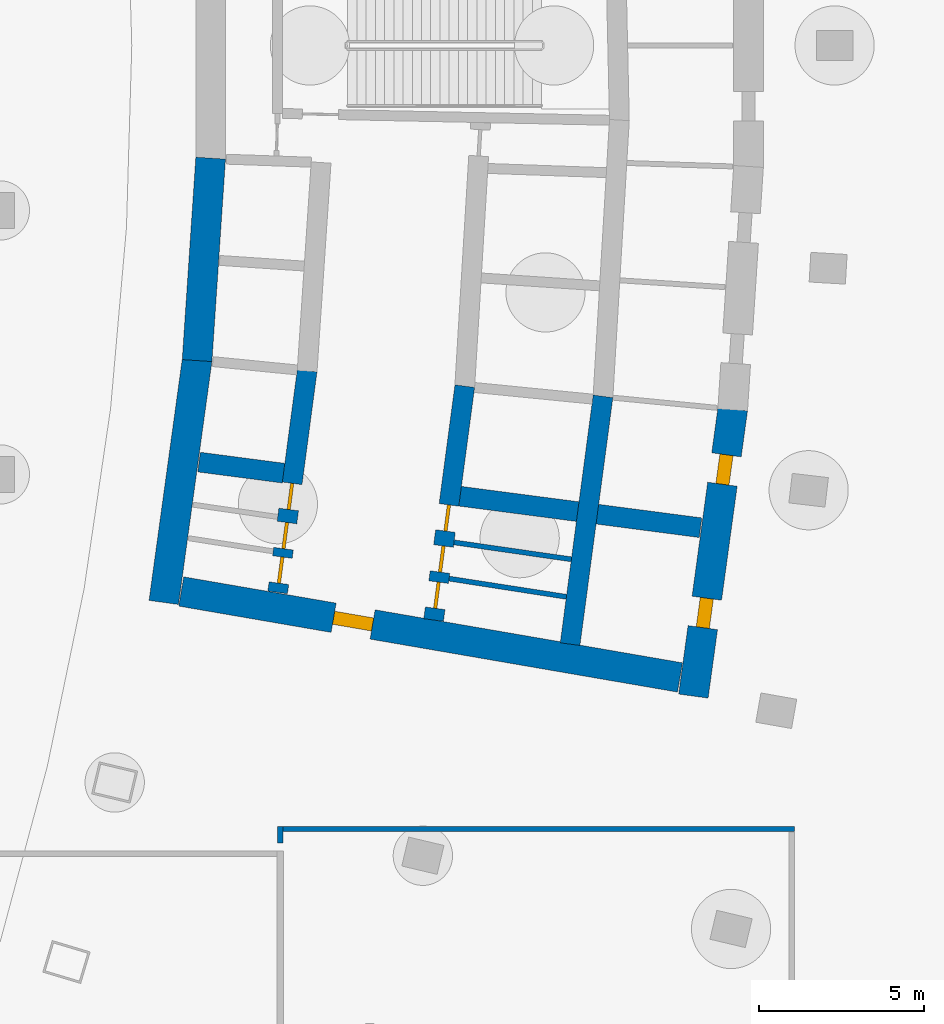
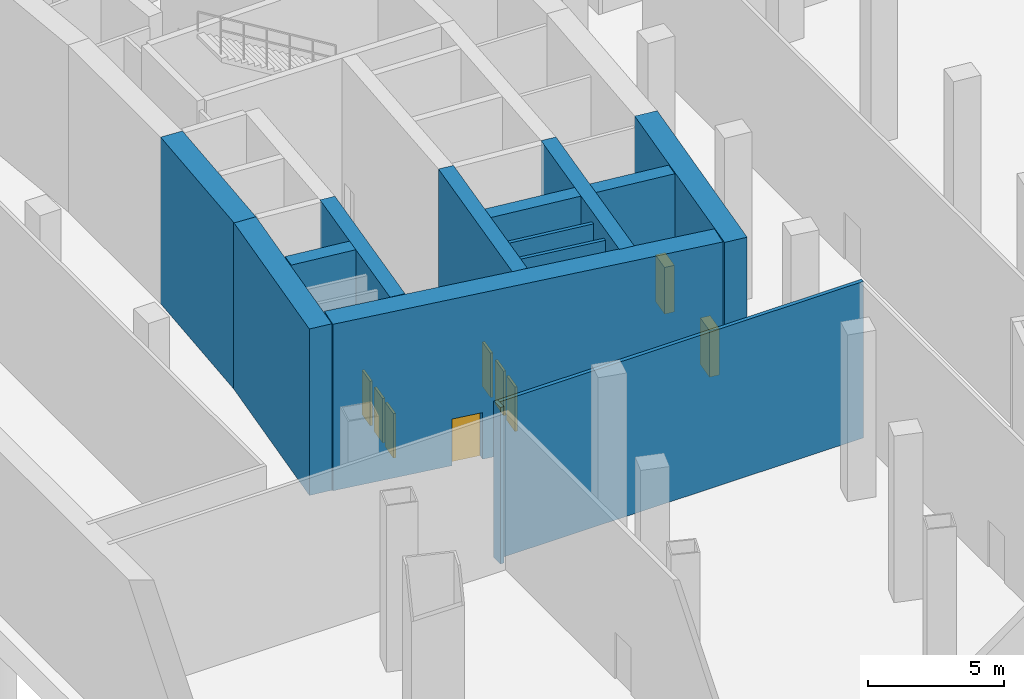
# One storey, part 4 of 19: 14 walls, 9 doors, 9 openings.
"""IFC4 building model written with IfcOpenShell, lengths in metres."""

from ifc_helpers import new_model, si_unit, direction, frame, frame_2d, origin, place, context, subcontext, project, spatial, rectangle, extrude, material, layer, layer_set, type_object, element, fill, save


model = new_model("IFC4")

# Units and contexts
model_context = context("Model", 3, precision=1e-05, world=origin(), true_north=direction((0.0, 1.0)))
body_context = subcontext(model_context, "Body", "Model", "MODEL_VIEW")
ifc_project = project(units=[si_unit("LENGTHUNIT", "METRE"), si_unit("AREAUNIT", "SQUARE_METRE"), si_unit("VOLUMEUNIT", "CUBIC_METRE"), si_unit("PLANEANGLEUNIT", "RADIAN"), si_unit("MASSUNIT", "GRAM", prefix="KILO")], contexts=[model_context])

# Site, building, storey
site_placement = place(None, origin())
site = spatial("IfcSite", under=ifc_project, at=site_placement, CompositionType="ELEMENT")
building_placement = place(site_placement, origin())
building = spatial("IfcBuilding", under=site, at=building_placement, Name="Alderwake Tower", CompositionType="ELEMENT")
storey_placement = place(building_placement, frame((0.0, 0.0, -14.0)))
storey = spatial("IfcBuildingStorey", under=building, at=storey_placement, Name="B2", CompositionType="ELEMENT", Elevation=-14.0)

# Walls
ifc_material_1 = material(Name="Gypsum shaft wall system, rated")
ifc_layer_1 = layer(ifc_material_1, 0.14990234375)
ifc_layer_set_1 = layer_set([ifc_layer_1], Name="Core room partition 150")
wall_type_1 = type_object("IfcWallType", Name="Core room partition 150", PredefinedType="PARTITIONING", material=ifc_layer_set_1)
wall_1_placement = place(storey_placement, frame((24.117431640625, 44.842041015625, 0.0), z_axis=(0.0, 0.0, 1.0), x_axis=(0.988173903359, -0.153337329832, 0.0)))
element("IfcWall", 1, at=wall_1_placement, inside=storey, type_object=wall_type_1, Name="CW/B2/PR-161_+86", PredefinedType="PARTITIONING", context=body_context, shape_type="SweptSolid", body=[
    extrude(rectangle(XDim=3.5966796875, YDim=0.14990234375, at=frame_2d((1.79833984375, 0.0))), origin(), (0.0, 0.0, 1.0), 7.050048828125),
])
wall_2_placement = place(storey_placement, frame((24.263916015625, 45.940673828125, 0.0), z_axis=(0.0, 0.0, 1.0), x_axis=(0.989732412963, -0.142932679013, 0.0)))
element("IfcWall", 2, at=wall_2_placement, inside=storey, type_object=wall_type_1, Name="CW/B2/PR-150_+86", PredefinedType="PARTITIONING", context=body_context, shape_type="SweptSolid", body=[
    extrude(rectangle(XDim=3.595458984375, YDim=0.14990234375, at=frame_2d((1.7978515625, 0.0))), origin(), (0.0, 0.0, 1.0), 7.050048828125),
])
ifc_material_2 = material(Name="Concrete C70/85", Category="concrete")
ifc_layer_2 = layer(ifc_material_2, 0.89990234375)
ifc_layer_set_2 = layer_set([ifc_layer_2], Name="Core wall outer 900 C70-85")
wall_type_2 = type_object("IfcWallType", Name="Core wall outer 900 C70-85", PredefinedType="SHEAR", material=ifc_layer_set_2)
wall_3_placement = place(storey_placement, frame((15.46923828125, 44.1201171875, 0.0), z_axis=(0.0, 0.0, 1.0), x_axis=(0.136337234661, 0.990662484626, 0.0)))
element("IfcWall", 3, at=wall_3_placement, inside=storey, type_object=wall_type_2, Name="Core wall CW.042", PredefinedType="SHEAR", context=body_context, shape_type="SweptSolid", body=[
    extrude(rectangle(XDim=7.431396484375, YDim=0.89990234375, at=frame_2d((3.7158203125, 0.0))), origin(), (0.0, 0.0, 1.0), 7.5),
])
wall_4_placement = place(storey_placement, frame((16.47900390625, 51.449951171875, 0.0), z_axis=(0.0, 0.0, 1.0), x_axis=(0.06689316208, 0.997760143956, 0.0)))
element("IfcWall", 4, at=wall_4_placement, inside=storey, type_object=wall_type_2, Name="Core wall CW.041", PredefinedType="SHEAR", context=body_context, shape_type="SweptSolid", body=[
    extrude(rectangle(XDim=6.149658203125, YDim=0.89990234375, at=frame_2d((3.07470703125, 0.0))), origin(), (0.0, 0.0, 1.0), 7.5),
])

# Wall, openings, doors
wall_5_placement = place(storey_placement, frame((32.7138671875, 49.9873046875, 0.0), z_axis=(0.0, 0.0, 1.0), x_axis=(-0.135844728876, -0.990730139663, 0.0)))
wall_5 = element("IfcWall", 5, at=wall_5_placement, inside=storey, type_object=wall_type_2, Name="Core wall CW.012", PredefinedType="SHEAR", context=body_context, shape_type="SweptSolid", body=[
    extrude(rectangle(XDim=8.78662109375, YDim=0.89990234375, at=frame_2d((4.393310546875, 0.0))), origin(), (0.0, 0.0, 1.0), 7.5),
])
opening_1_placement = place(wall_5_placement, frame((1.40673828125, 0.0, 0.0)))
opening_1 = element("IfcOpeningElement", 6, at=opening_1_placement, cuts=wall_5, Name="Opening C050", PredefinedType="OPENING", context=body_context, shape_type="SweptSolid", body=[
    extrude(rectangle(XDim=0.89990234375, YDim=2.10009765625, at=frame_2d((0.449951171875, 1.050048828125))), frame((0.0, 0.4599609375, 0.0), z_axis=(0.0, -1.0, 0.0), x_axis=(1.0, 0.0, 0.0)), (0.0, 0.0, 1.0), 0.919921875),
])
opening_2_placement = place(wall_5_placement, frame((5.79248046875, 0.0, 0.0)))
opening_2 = element("IfcOpeningElement", 7, at=opening_2_placement, cuts=wall_5, Name="Opening C061", PredefinedType="OPENING", context=body_context, shape_type="SweptSolid", body=[
    extrude(rectangle(XDim=0.89990234375, YDim=2.10009765625, at=frame_2d((0.449951171875, 1.050048828125))), frame((0.0, 0.4599609375, 0.0), z_axis=(0.0, -1.0, 0.0), x_axis=(1.0, 0.0, 0.0)), (0.0, 0.0, 1.0), 0.919921875),
])
ifc_material_3 = material(Name="Painted steel leaf", Category="steel")
door_type_1 = type_object("IfcDoorType", Name="Core room door 900", OperationType="SINGLE_SWING_LEFT", PredefinedType="DOOR", material=ifc_material_3)
door_1_placement = place(opening_1_placement, origin())
door_1 = element("IfcDoor", 8, at=door_1_placement, inside=storey, type_object=door_type_1, Name="Room door", OperationType="SINGLE_SWING_RIGHT", OverallHeight=2.10009765625, OverallWidth=0.89990234375, PredefinedType="DOOR", context=body_context, shape_type="SweptSolid", body=[
    extrude(rectangle(XDim=0.89990234375, YDim=2.10009765625, at=frame_2d((0.449951171875, 1.050048828125))), frame((0.0, 0.199951171875, 0.0), z_axis=(0.0, -1.0, 0.0), x_axis=(1.0, 0.0, 0.0)), (0.0, 0.0, 1.0), 0.39990234375),
])
fill(opening_1, door_1)
door_2_placement = place(opening_2_placement, origin())
door_2 = element("IfcDoor", 9, at=door_2_placement, inside=storey, type_object=door_type_1, Name="Room door", OperationType="SINGLE_SWING_LEFT", OverallHeight=2.10009765625, OverallWidth=0.89990234375, PredefinedType="DOOR", context=body_context, shape_type="SweptSolid", body=[
    extrude(rectangle(XDim=0.89990234375, YDim=2.10009765625, at=frame_2d((0.449951171875, 1.050048828125))), frame((0.0, 0.199951171875, 0.0), z_axis=(0.0, -1.0, 0.0), x_axis=(1.0, 0.0, 0.0)), (0.0, 0.0, 1.0), 0.39990234375),
])
fill(opening_2, door_2)

# Wall, opening, door
wall_6_placement = place(storey_placement, frame((31.11328125, 41.846923828125, 0.0), z_axis=(0.0, 0.0, 1.0), x_axis=(-0.985466640605, 0.169869067972, 0.0)))
wall_6 = element("IfcWall", 10, at=wall_6_placement, inside=storey, type_object=wall_type_2, Name="Core wall CW.070", PredefinedType="SHEAR", context=body_context, shape_type="SweptSolid", body=[
    extrude(rectangle(XDim=15.336669921875, YDim=0.89990234375, at=frame_2d((7.66845703125, 0.0))), origin(), (0.0, 0.0, 1.0), 7.5),
])
opening_3_placement = place(wall_6_placement, frame((9.451904296875, 0.0, 0.0)))
opening_3 = element("IfcOpeningElement", 11, at=opening_3_placement, cuts=wall_6, Name="Opening C003", PredefinedType="OPENING", context=body_context, shape_type="SweptSolid", body=[
    extrude(rectangle(XDim=1.199951171875, YDim=2.10009765625, at=frame_2d((0.60009765625, 1.050048828125))), frame((0.0, 0.4599609375, 0.0), z_axis=(0.0, -1.0, 0.0), x_axis=(1.0, 0.0, 0.0)), (0.0, 0.0, 1.0), 0.919921875),
])
ifc_material_4 = material(Name="Steel-framed fire door leaf", Category="steel")
door_type_2 = type_object("IfcDoorType", Name="Core lobby exit door 1200 fire-rated", OperationType="SINGLE_SWING_LEFT", PredefinedType="DOOR", material=ifc_material_4)
door_3_placement = place(opening_3_placement, origin())
door_3 = element("IfcDoor", 12, at=door_3_placement, inside=storey, type_object=door_type_2, Name="Lobby door", OperationType="SINGLE_SWING_LEFT", OverallHeight=2.10009765625, OverallWidth=1.199951171875, PredefinedType="DOOR", context=body_context, shape_type="SweptSolid", body=[
    extrude(rectangle(XDim=1.199951171875, YDim=2.10009765625, at=frame_2d((0.60009765625, 1.050048828125))), frame((0.0, 0.199951171875, 0.0), z_axis=(0.0, -1.0, 0.0), x_axis=(1.0, 0.0, 0.0)), (0.0, 0.0, 1.0), 0.39990234375),
])
fill(opening_3, door_3)

# Wall, openings, doors
ifc_material_5 = material(Name="Concrete C70/85", Category="concrete")
ifc_layer_3 = layer(ifc_material_5, 0.60009765625)
ifc_layer_set_3 = layer_set([ifc_layer_3], Name="Core wall spine 600 C70-85")
wall_type_3 = type_object("IfcWallType", Name="Core wall spine 600 C70-85", PredefinedType="SHEAR", material=ifc_layer_set_3)
wall_7_placement = place(storey_placement, frame((19.815185546875, 51.14697265625, 0.0), z_axis=(0.0, 0.0, 1.0), x_axis=(-0.131854836214, -0.991269036219, 0.0)))
wall_7 = element("IfcWall", 13, at=wall_7_placement, inside=storey, type_object=wall_type_3, Name="Core wall CW.033", PredefinedType="SHEAR", context=body_context, shape_type="SweptSolid", body=[
    extrude(rectangle(XDim=6.782470703125, YDim=0.60009765625, at=frame_2d((3.39111328125, 0.0))), origin(), (0.0, 0.0, 1.0), 7.5),
])
opening_4_placement = place(wall_7_placement, frame((5.699951171875, 0.0, 0.0)))
opening_4 = element("IfcOpeningElement", 14, at=opening_4_placement, cuts=wall_7, Name="Opening C009", PredefinedType="OPENING", context=body_context, shape_type="SweptSolid", body=[
    extrude(rectangle(XDim=0.800048828125, YDim=2.0, at=frame_2d((0.39990234375, 1.0))), frame((0.0, 0.31005859375, 0.0), z_axis=(0.0, -1.0, 0.0), x_axis=(1.0, 0.0, 0.0)), (0.0, 0.0, 1.0), 0.6201171875),
])
opening_5_placement = place(wall_7_placement, frame((4.64501953125, 0.0, 0.0)))
opening_5 = element("IfcOpeningElement", 15, at=opening_5_placement, cuts=wall_7, Name="Opening C011", PredefinedType="OPENING", context=body_context, shape_type="SweptSolid", body=[
    extrude(rectangle(XDim=0.800048828125, YDim=2.0, at=frame_2d((0.39990234375, 1.0))), frame((0.0, 0.31005859375, 0.0), z_axis=(0.0, -1.0, 0.0), x_axis=(1.0, 0.0, 0.0)), (0.0, 0.0, 1.0), 0.6201171875),
])
opening_6_placement = place(wall_7_placement, frame((3.4462890625, 0.0, 0.0)))
opening_6 = element("IfcOpeningElement", 16, at=opening_6_placement, cuts=wall_7, Name="Opening C012", PredefinedType="OPENING", context=body_context, shape_type="SweptSolid", body=[
    extrude(rectangle(XDim=0.800048828125, YDim=2.0, at=frame_2d((0.39990234375, 1.0))), frame((0.0, 0.31005859375, 0.0), z_axis=(0.0, -1.0, 0.0), x_axis=(1.0, 0.0, 0.0)), (0.0, 0.0, 1.0), 0.6201171875),
])
ifc_material_6 = material(Name="Painted steel leaf, rated", Category="steel")
door_type_3 = type_object("IfcDoorType", Name="Riser access door 800", OperationType="SINGLE_SWING_LEFT", PredefinedType="DOOR", material=ifc_material_6)
door_4_placement = place(opening_4_placement, origin())
door_4 = element("IfcDoor", 17, at=door_4_placement, inside=storey, type_object=door_type_3, Name="Riser access door", OperationType="SINGLE_SWING_LEFT", OverallHeight=2.0, OverallWidth=0.800048828125, PredefinedType="DOOR", context=body_context, shape_type="SweptSolid", body=[
    extrude(rectangle(XDim=0.800048828125, YDim=2.0, at=frame_2d((0.39990234375, 1.0))), frame((0.0, 0.050048828125, 0.0), z_axis=(0.0, -1.0, 0.0), x_axis=(1.0, 0.0, 0.0)), (0.0, 0.0, 1.0), 0.10009765625),
])
fill(opening_4, door_4)
door_5_placement = place(opening_5_placement, origin())
door_5 = element("IfcDoor", 18, at=door_5_placement, inside=storey, type_object=door_type_3, Name="Riser access door", OperationType="SINGLE_SWING_RIGHT", OverallHeight=2.0, OverallWidth=0.800048828125, PredefinedType="DOOR", context=body_context, shape_type="SweptSolid", body=[
    extrude(rectangle(XDim=0.800048828125, YDim=2.0, at=frame_2d((0.39990234375, 1.0))), frame((0.0, 0.050048828125, 0.0), z_axis=(0.0, -1.0, 0.0), x_axis=(1.0, 0.0, 0.0)), (0.0, 0.0, 1.0), 0.10009765625),
])
fill(opening_5, door_5)
door_6_placement = place(opening_6_placement, origin())
door_6 = element("IfcDoor", 19, at=door_6_placement, inside=storey, type_object=door_type_3, Name="Riser access door", OperationType="SINGLE_SWING_LEFT", OverallHeight=2.0, OverallWidth=0.800048828125, PredefinedType="DOOR", context=body_context, shape_type="SweptSolid", body=[
    extrude(rectangle(XDim=0.800048828125, YDim=2.0, at=frame_2d((0.39990234375, 1.0))), frame((0.0, 0.050048828125, 0.0), z_axis=(0.0, -1.0, 0.0), x_axis=(1.0, 0.0, 0.0)), (0.0, 0.0, 1.0), 0.10009765625),
])
fill(opening_6, door_6)

wall_8_placement = place(storey_placement, frame((23.647705078125, 43.588134765625, 0.0), z_axis=(0.0, 0.0, 1.0), x_axis=(0.132069785658, 0.991240420744, 0.0)))
wall_8 = element("IfcWall", 20, at=wall_8_placement, inside=storey, type_object=wall_type_3, Name="Core wall CW.047", PredefinedType="SHEAR", context=body_context, shape_type="SweptSolid", body=[
    extrude(rectangle(XDim=7.150390625, YDim=0.60009765625, at=frame_2d((3.5751953125, 0.0))), origin(), (0.0, 0.0, 1.0), 7.5),
])
opening_7_placement = place(wall_8_placement, frame((0.35791015625, 0.0, 0.0)))
opening_7 = element("IfcOpeningElement", 21, at=opening_7_placement, cuts=wall_8, Name="Opening C016", PredefinedType="OPENING", context=body_context, shape_type="SweptSolid", body=[
    extrude(rectangle(XDim=0.800048828125, YDim=2.0, at=frame_2d((0.39990234375, 1.0))), frame((0.0, 0.31005859375, 0.0), z_axis=(0.0, -1.0, 0.0), x_axis=(1.0, 0.0, 0.0)), (0.0, 0.0, 1.0), 0.6201171875),
])
opening_8_placement = place(wall_8_placement, frame((1.46337890625, 0.0, 0.0)))
opening_8 = element("IfcOpeningElement", 22, at=opening_8_placement, cuts=wall_8, Name="Opening C018", PredefinedType="OPENING", context=body_context, shape_type="SweptSolid", body=[
    extrude(rectangle(XDim=0.800048828125, YDim=2.0, at=frame_2d((0.39990234375, 1.0))), frame((0.0, 0.31005859375, 0.0), z_axis=(0.0, -1.0, 0.0), x_axis=(1.0, 0.0, 0.0)), (0.0, 0.0, 1.0), 0.6201171875),
])
opening_9_placement = place(wall_8_placement, frame((2.719482421875, 0.0, 0.0)))
opening_9 = element("IfcOpeningElement", 23, at=opening_9_placement, cuts=wall_8, Name="Opening C019", PredefinedType="OPENING", context=body_context, shape_type="SweptSolid", body=[
    extrude(rectangle(XDim=0.800048828125, YDim=2.0, at=frame_2d((0.39990234375, 1.0))), frame((0.0, 0.31005859375, 0.0), z_axis=(0.0, -1.0, 0.0), x_axis=(1.0, 0.0, 0.0)), (0.0, 0.0, 1.0), 0.6201171875),
])
door_7_placement = place(opening_7_placement, origin())
door_7 = element("IfcDoor", 24, at=door_7_placement, inside=storey, type_object=door_type_3, Name="Riser access door", OperationType="SINGLE_SWING_RIGHT", OverallHeight=2.0, OverallWidth=0.800048828125, PredefinedType="DOOR", context=body_context, shape_type="SweptSolid", body=[
    extrude(rectangle(XDim=0.800048828125, YDim=2.0, at=frame_2d((0.39990234375, 1.0))), frame((0.0, 0.050048828125, 0.0), z_axis=(0.0, -1.0, 0.0), x_axis=(1.0, 0.0, 0.0)), (0.0, 0.0, 1.0), 0.10009765625),
])
fill(opening_7, door_7)
door_8_placement = place(opening_8_placement, origin())
door_8 = element("IfcDoor", 25, at=door_8_placement, inside=storey, type_object=door_type_3, Name="Riser access door", OperationType="SINGLE_SWING_LEFT", OverallHeight=2.0, OverallWidth=0.800048828125, PredefinedType="DOOR", context=body_context, shape_type="SweptSolid", body=[
    extrude(rectangle(XDim=0.800048828125, YDim=2.0, at=frame_2d((0.39990234375, 1.0))), frame((0.0, 0.050048828125, 0.0), z_axis=(0.0, -1.0, 0.0), x_axis=(1.0, 0.0, 0.0)), (0.0, 0.0, 1.0), 0.10009765625),
])
fill(opening_8, door_8)
door_9_placement = place(opening_9_placement, origin())
door_9 = element("IfcDoor", 26, at=door_9_placement, inside=storey, type_object=door_type_3, Name="Riser access door", OperationType="SINGLE_SWING_RIGHT", OverallHeight=2.0, OverallWidth=0.800048828125, PredefinedType="DOOR", context=body_context, shape_type="SweptSolid", body=[
    extrude(rectangle(XDim=0.800048828125, YDim=2.0, at=frame_2d((0.39990234375, 1.0))), frame((0.0, 0.050048828125, 0.0), z_axis=(0.0, -1.0, 0.0), x_axis=(1.0, 0.0, 0.0)), (0.0, 0.0, 1.0), 0.10009765625),
])
fill(opening_9, door_9)

# Walls
wall_9_placement = place(storey_placement, frame((27.78369140625, 42.85693359375, 0.0), z_axis=(0.0, 0.0, 1.0), x_axis=(0.131768985664, 0.991280451949, 0.0)))
element("IfcWall", 27, at=wall_9_placement, inside=storey, type_object=wall_type_3, Name="Core wall CW.006", PredefinedType="SHEAR", context=body_context, shape_type="SweptSolid", body=[
    extrude(rectangle(XDim=7.576171875, YDim=0.60009765625, at=frame_2d((3.7880859375, 0.0))), origin(), (0.0, 0.0, 1.0), 7.5),
])
wall_10_placement = place(storey_placement, frame((16.5390625, 48.373291015625, 0.0), z_axis=(0.0, 0.0, 1.0), x_axis=(0.99156081818, -0.129642369037, 0.0)))
element("IfcWall", 28, at=wall_10_placement, inside=storey, type_object=wall_type_3, Name="Core wall CW.067", PredefinedType="SHEAR", context=body_context, shape_type="SweptSolid", body=[
    extrude(rectangle(XDim=2.581787109375, YDim=0.60009765625, at=frame_2d((1.291015625, 0.0))), origin(), (0.0, 0.0, 1.0), 7.5),
])
wall_11_placement = place(storey_placement, frame((24.4501953125, 47.338623046875, 0.0), z_axis=(0.0, 0.0, 1.0), x_axis=(0.99155225032, -0.129707882892, 0.0)))
element("IfcWall", 29, at=wall_11_placement, inside=storey, type_object=wall_type_3, Name="Core wall CW.069", PredefinedType="SHEAR", context=body_context, shape_type="SweptSolid", body=[
    extrude(rectangle(XDim=3.594970703125, YDim=0.60009765625, at=frame_2d((1.79736328125, 0.0))), origin(), (0.0, 0.0, 1.0), 7.5),
])
wall_12_placement = place(storey_placement, frame((28.609619140625, 46.794677734375, 0.0), z_axis=(0.0, 0.0, 1.0), x_axis=(0.991551544298, -0.129713279967, 0.0)))
element("IfcWall", 30, at=wall_12_placement, inside=storey, type_object=wall_type_3, Name="Core wall CW.068", PredefinedType="SHEAR", context=body_context, shape_type="SweptSolid", body=[
    extrude(rectangle(XDim=3.152587890625, YDim=0.60009765625, at=frame_2d((1.576171875, 0.0))), origin(), (0.0, 0.0, 1.0), 7.5),
])
ifc_material_7 = material(Name="Gypsum board on metal studs, rated")
ifc_layer_4 = layer(ifc_material_7, 0.159912109375)
ifc_layer_set_4 = layer_set([ifc_layer_4], Name="Corridor wall 160")
wall_type_4 = type_object("IfcWallType", Name="Corridor wall 160", PredefinedType="PARTITIONING", material=ifc_layer_set_4)
wall_13_placement = place(storey_placement, frame((18.9990234375, 36.834228515625, 0.0), z_axis=(0.0, 0.0, 1.0), x_axis=(0.0, 1.0, 0.0)))
element("IfcWall", 31, at=wall_13_placement, inside=storey, type_object=wall_type_4, Name="WL/B2/W37", PredefinedType="PARTITIONING", context=body_context, shape_type="SweptSolid", body=[
    extrude(rectangle(XDim=0.496826171875, YDim=0.159912109375, at=frame_2d((0.24853515625, 0.0))), origin(), (0.0, 0.0, 1.0), 7.050048828125),
])
wall_14_placement = place(storey_placement, frame((19.0791015625, 37.2509765625, 0.0), z_axis=(0.0, 0.0, 1.0), x_axis=(1.0, 0.0, 0.0)))
element("IfcWall", 32, at=wall_14_placement, inside=storey, type_object=wall_type_4, Name="WL/B2/W38", PredefinedType="PARTITIONING", context=body_context, shape_type="SweptSolid", body=[
    extrude(rectangle(XDim=15.5009765625, YDim=0.159912109375, at=frame_2d((7.75048828125, 0.0))), origin(), (0.0, 0.0, 1.0), 7.050048828125),
])

save(model, "model.ifc")
